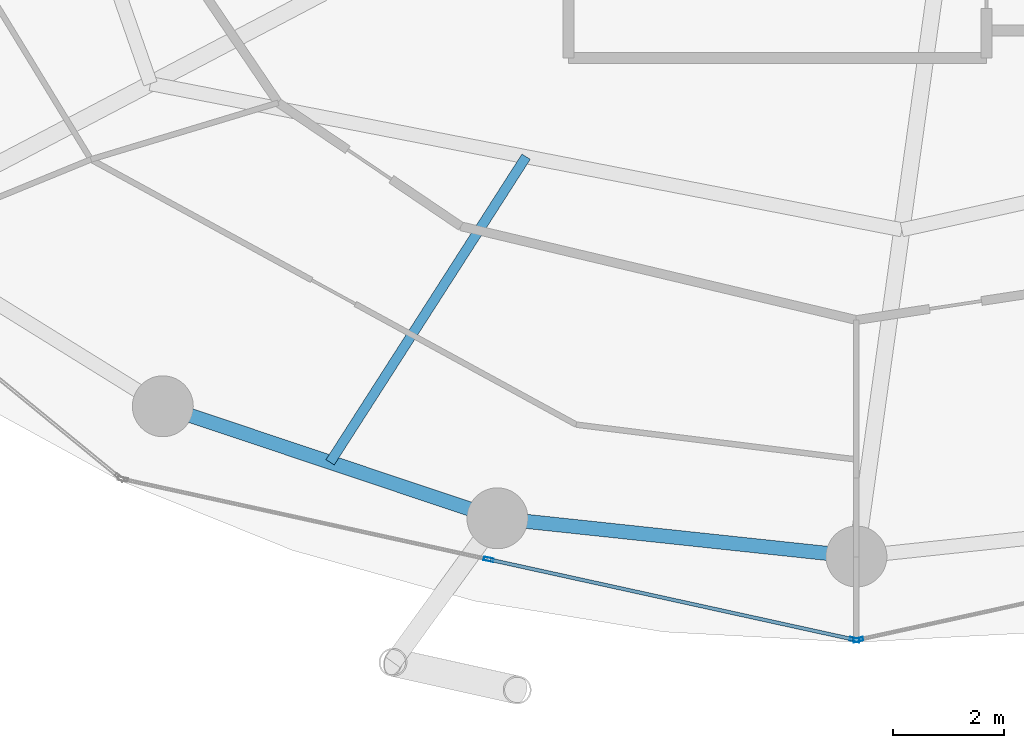
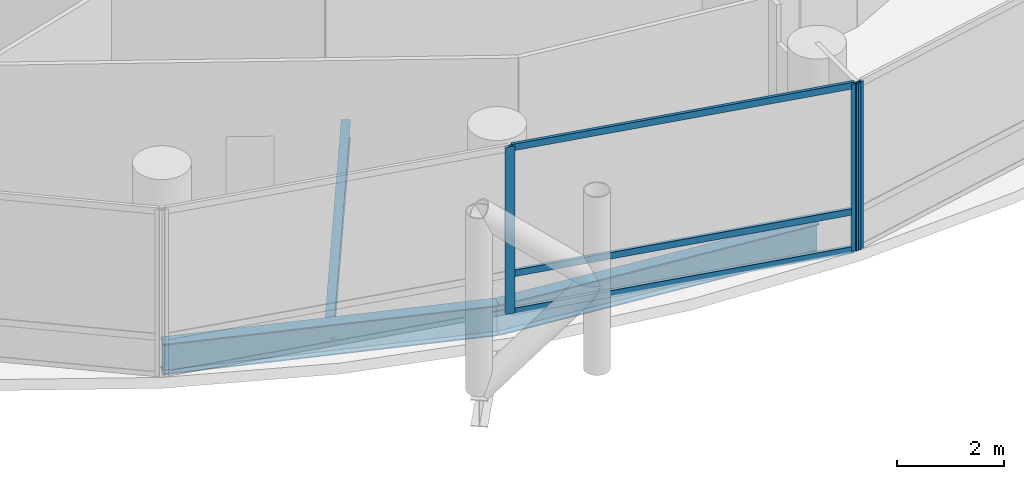
# One storey, part 4 of 25: 6 members, 3 beams, 2 elements without a shape of their own.
"""IFC4 building model written with IfcOpenShell, lengths in metres."""

from ifc_helpers import new_model, si_unit, direction, frame, origin, origin_2d, place, context, subcontext, project, spatial, hollow_rectangle, i_section, extrude, material, layer, layer_set, material_profile, profile_set, type_object, element, aggregate, save


model = new_model("IFC4")

# Units and contexts
model_context = context("Model", 3, precision=1e-05, world=origin(), true_north=direction((0.0, 1.0)))
body_context = subcontext(model_context, "Body", "Model", "MODEL_VIEW")
ifc_project = project(units=[si_unit("LENGTHUNIT", "METRE"), si_unit("AREAUNIT", "SQUARE_METRE"), si_unit("VOLUMEUNIT", "CUBIC_METRE"), si_unit("PLANEANGLEUNIT", "RADIAN"), si_unit("MASSUNIT", "GRAM", prefix="KILO")], contexts=[model_context])

# Site, building, storey
site_placement = place(None, origin())
site = spatial("IfcSite", under=ifc_project, at=site_placement, CompositionType="ELEMENT")
building_placement = place(site_placement, origin())
building = spatial("IfcBuilding", under=site, at=building_placement, Name="Nuhasar Tower", CompositionType="ELEMENT")
storey_placement = place(building_placement, frame((0.0, 0.0, 61.5)))
storey = spatial("IfcBuildingStorey", under=building, at=storey_placement, Name="L14", CompositionType="ELEMENT", Elevation=61.5)

# Beams
ifc_material_1 = material(Name="Steel S355", Category="steel")
ifc_material_profile_1 = material_profile(ifc_material_1, i_section(OverallWidth=0.177978515625, OverallDepth=0.406005859375, WebThickness=0.0078125, FlangeThickness=0.0126953125, at=origin_2d()), Name="W16X40")
ifc_profile_set_1 = profile_set([ifc_material_profile_1], Name="Steel S355")
beam_type_1 = type_object("IfcBeamType", Name="BM-JST-W16X40", PredefinedType="JOIST", material=ifc_profile_set_1)
beam_1_placement = place(storey_placement, frame((33.035888671875, 13.77001953125, -0.452880859375), z_axis=(-0.539944240715, -0.841700788237, 0.0), x_axis=(0.841700788237, -0.539944240715, 0.0)))
element("IfcBeam", 1, at=beam_1_placement, inside=storey, type_object=beam_type_1, Name="L14 Secondary Floor Joist 01", PredefinedType="JOIST", context=body_context, shape_type="SweptSolid", body=[
    extrude(i_section(OverallWidth=0.177978515625, OverallDepth=0.406005859375, WebThickness=0.0078125, FlangeThickness=0.0126953125, at=origin_2d()), origin(), (0.0, 0.0, 1.0), 6.555908203125),
])
ifc_material_profile_2 = material_profile(ifc_material_1, i_section(OverallWidth=0.256103515625, OverallDepth=0.693115234375, WebThickness=0.014404296875, FlangeThickness=0.023681640625, at=origin_2d()), Name="W27X114")
ifc_profile_set_2 = profile_set([ifc_material_profile_2], Name="Steel S355")
beam_type_2 = type_object("IfcBeamType", Name="BM-RING-W27X114", PredefinedType="SPANDREL", material=ifc_profile_set_2)
beam_2_placement = place(storey_placement, frame((26.47509765625, 9.262939453125, -0.595947265625), z_axis=(0.94826097201, -0.317491935271, 0.0), x_axis=(0.317491935271, 0.94826097201, 0.0)))
element("IfcBeam", 2, at=beam_2_placement, inside=storey, type_object=beam_type_2, Name="L14 Perimeter Ring Spandrel 17", PredefinedType="SPANDREL", context=body_context, shape_type="SweptSolid", body=[
    extrude(i_section(OverallWidth=0.256103515625, OverallDepth=0.693115234375, WebThickness=0.014404296875, FlangeThickness=0.023681640625, at=origin_2d()), origin(), (0.0, 0.0, 1.0), 6.37158203125),
])
beam_3_placement = place(storey_placement, frame((32.51708984375, 7.239990234375, -0.595947265625), z_axis=(0.994384554061, -0.105827022286, 0.0), x_axis=(0.105827022286, 0.994384554061, 0.0)))
element("IfcBeam", 3, at=beam_3_placement, inside=storey, type_object=beam_type_2, Name="L14 Perimeter Ring Spandrel 18", PredefinedType="SPANDREL", context=body_context, shape_type="SweptSolid", body=[
    extrude(i_section(OverallWidth=0.256103515625, OverallDepth=0.693115234375, WebThickness=0.014404296875, FlangeThickness=0.023681640625, at=origin_2d()), origin(), (0.0, 0.0, 1.0), 6.51953125),
])

# Curtain wall, members
ifc_material_2 = material(Name="Aluminium 6063-T6", Category="aluminium")
ifc_layer = layer(ifc_material_2, 0.199951171875)
ifc_layer_set = layer_set([ifc_layer], Name="Aluminium 6063-T6")
curtain_wall_type = type_object("IfcCurtainWallType", Name="CW-Z1-OFF", PredefinedType="NOTDEFINED", material=ifc_layer_set)
curtain_wall_1_placement = place(storey_placement, origin())
curtain_wall_1 = element("IfcCurtainWall", 4, at=curtain_wall_1_placement, inside=storey, type_object=curtain_wall_type, Name="L14 Unitised Curtain Wall 09", PredefinedType="NOTDEFINED")
ifc_material_profile_3 = material_profile(ifc_material_2, hollow_rectangle(XDim=0.06494140625, YDim=0.179931640625, WallThickness=0.0048828125, at=origin_2d()), Name="CWM-2")
ifc_profile_set_3 = profile_set([ifc_material_profile_3], Name="Aluminium 6063-T6")
member_type_1 = type_object("IfcMemberType", Name="CW-MUL-S2", PredefinedType="MULLION", material=ifc_profile_set_3)
member_1_placement = place(storey_placement, frame((32.360107421875, 6.49755859375, 0.0), z_axis=(0.0, 0.0, 1.0), x_axis=(0.214398737637, 0.976746221544, 0.0)))
member_1 = element("IfcMember", 5, at=member_1_placement, type_object=member_type_1, Name="CW-Z1 mullion 2", PredefinedType="MULLION", context=body_context, shape_type="SweptSolid", body=[
    extrude(hollow_rectangle(XDim=0.06494140625, YDim=0.179931640625, WallThickness=0.0048828125, at=origin_2d()), origin(), (0.0, 0.0, 1.0), 3.800048828125),
])
member_2_placement = place(storey_placement, frame((38.96826171875, 5.046875, 0.0), z_axis=(0.0, 0.0, 1.0), x_axis=(0.214398737637, 0.976746221544, 0.0)))
member_2 = element("IfcMember", 6, at=member_2_placement, type_object=member_type_1, Name="CW-Z1 mullion 3", PredefinedType="MULLION", context=body_context, shape_type="SweptSolid", body=[
    extrude(hollow_rectangle(XDim=0.06494140625, YDim=0.179931640625, WallThickness=0.0048828125, at=origin_2d()), origin(), (0.0, 0.0, 1.0), 3.800048828125),
])

# Curtain wall, member
curtain_wall_2_placement = place(storey_placement, origin())
curtain_wall_2 = element("IfcCurtainWall", 7, at=curtain_wall_2_placement, inside=storey, type_object=curtain_wall_type, Name="L14 Unitised Curtain Wall 10", PredefinedType="NOTDEFINED")
member_3_placement = place(storey_placement, frame((39.03173828125, 5.046875, 0.0), z_axis=(0.0, 0.0, 1.0), x_axis=(-0.214398737637, 0.976746221544, 0.0)))
member_3 = element("IfcMember", 8, at=member_3_placement, type_object=member_type_1, Name="CW-Z1 mullion 1", PredefinedType="MULLION", context=body_context, shape_type="SweptSolid", body=[
    extrude(hollow_rectangle(XDim=0.06494140625, YDim=0.179931640625, WallThickness=0.0048828125, at=origin_2d()), origin(), (0.0, 0.0, 1.0), 3.800048828125),
])
aggregate(curtain_wall_2, [member_3])

# Member
ifc_material_profile_4 = material_profile(ifc_material_2, hollow_rectangle(XDim=0.06494140625, YDim=0.14990234375, WallThickness=0.00439453125, at=origin_2d()), Name="CWT-2")
ifc_profile_set_4 = profile_set([ifc_material_profile_4], Name="Aluminium 6063-T6")
member_type_2 = type_object("IfcMemberType", Name="CW-TRN-S2", PredefinedType="USERDEFINED", material=ifc_profile_set_4)
member_4_placement = place(storey_placement, frame((32.391845703125, 6.490478515625, 0.032470703125), z_axis=(0.976747879138, -0.214391185916, 0.0), x_axis=(0.214391185916, 0.976747879138, 0.0)))
member_4 = element("IfcMember", 9, at=member_4_placement, type_object=member_type_2, Name="CW-Z1 transom 2.1", ObjectType="TRANSOM", PredefinedType="USERDEFINED", context=body_context, shape_type="SweptSolid", body=[
    extrude(hollow_rectangle(XDim=0.06494140625, YDim=0.14990234375, WallThickness=0.00439453125, at=origin_2d()), origin(), (0.0, 0.0, 1.0), 6.700439453125),
])

member_5_placement = place(storey_placement, frame((32.391845703125, 6.490478515625, 0.89990234375), z_axis=(0.976747879138, -0.214391185916, 0.0), x_axis=(0.214391185916, 0.976747879138, 0.0)))
member_5 = element("IfcMember", 10, at=member_5_placement, type_object=member_type_2, Name="CW-Z1 transom 2.2", ObjectType="TRANSOM", PredefinedType="USERDEFINED", context=body_context, shape_type="SweptSolid", body=[
    extrude(hollow_rectangle(XDim=0.06494140625, YDim=0.14990234375, WallThickness=0.00439453125, at=origin_2d()), origin(), (0.0, 0.0, 1.0), 6.700439453125),
])

member_6_placement = place(storey_placement, frame((32.391845703125, 6.490478515625, 3.767578125), z_axis=(0.976747879138, -0.214391185916, 0.0), x_axis=(0.214391185916, 0.976747879138, 0.0)))
member_6 = element("IfcMember", 11, at=member_6_placement, type_object=member_type_2, Name="CW-Z1 transom 2.3", ObjectType="TRANSOM", PredefinedType="USERDEFINED", context=body_context, shape_type="SweptSolid", body=[
    extrude(hollow_rectangle(XDim=0.06494140625, YDim=0.14990234375, WallThickness=0.00439453125, at=origin_2d()), origin(), (0.0, 0.0, 1.0), 6.700439453125),
])

aggregate(curtain_wall_1, [member_1, member_2, member_4, member_5, member_6])

save(model, "model.ifc")
